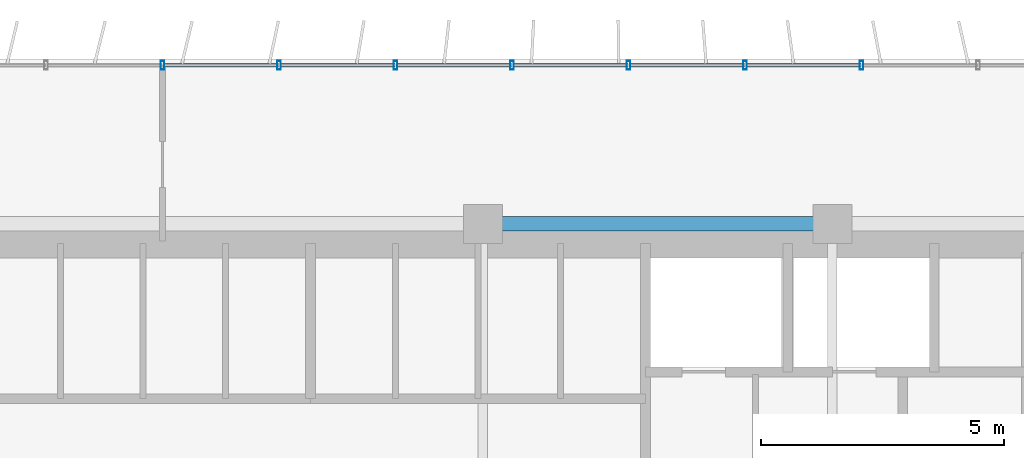
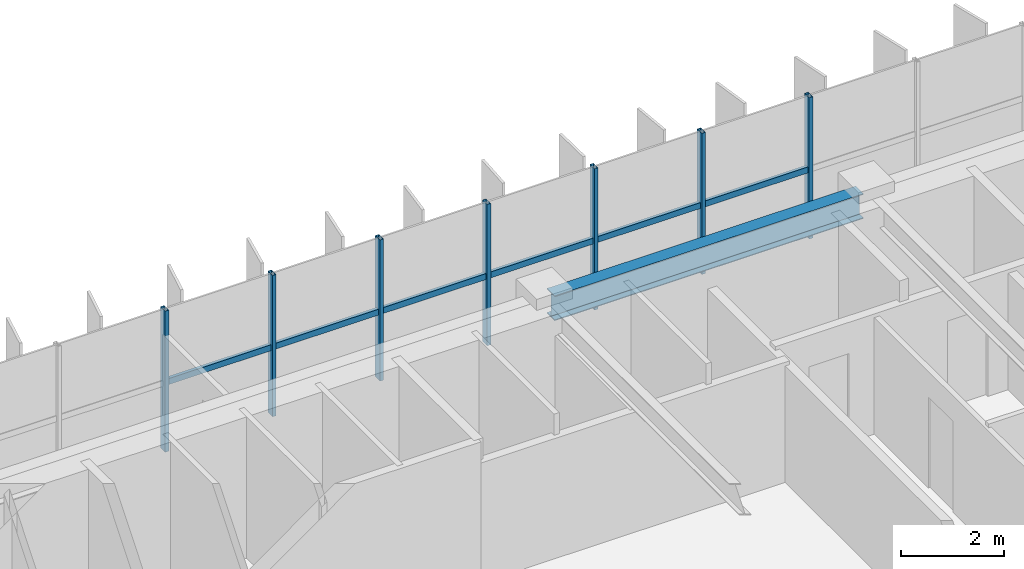
# One storey, part 9 of 21: 13 members, 1 beam, 1 element without a shape of its own.
"""IFC4 building model written with IfcOpenShell, lengths in metres."""

from ifc_helpers import new_model, si_unit, direction, frame, origin, origin_2d, place, context, subcontext, project, spatial, hollow_rectangle, i_section, extrude, source, transform, mapped, material, material_profile, profile_set, type_object, element, aggregate, save


model = new_model("IFC4")

# Units and contexts
model_context = context("Model", 3, precision=1e-05, world=origin(), true_north=direction((0.0, 1.0)))
body_context = subcontext(model_context, "Body", "Model", "MODEL_VIEW")
ifc_project = project(units=[si_unit("LENGTHUNIT", "METRE"), si_unit("AREAUNIT", "SQUARE_METRE"), si_unit("VOLUMEUNIT", "CUBIC_METRE"), si_unit("PLANEANGLEUNIT", "RADIAN"), si_unit("MASSUNIT", "GRAM", prefix="KILO")], contexts=[model_context])

# Site, building, storey
site_placement = place(None, origin())
site = spatial("IfcSite", under=ifc_project, at=site_placement, CompositionType="ELEMENT")
building_placement = place(site_placement, origin())
building = spatial("IfcBuilding", under=site, at=building_placement, Name="Trelvane Seafront Commons", CompositionType="ELEMENT")
storey_placement = place(building_placement, frame((0.0, 0.0, 106.89990234375)))
storey = spatial("IfcBuildingStorey", under=building, at=storey_placement, Name="L27", CompositionType="ELEMENT", Elevation=106.89990234375)

# Beam
ifc_material_1 = material(Name="Steel SM355 (S355)", Category="steel")
ifc_material_profile_1 = material_profile(ifc_material_1, i_section(OverallWidth=0.300048828125, OverallDepth=0.587890625, WebThickness=0.011962890625, FlangeThickness=0.02001953125, at=origin_2d()), Name="H-588x300x12x20")
ifc_profile_set_1 = profile_set([ifc_material_profile_1], Name="Steel SM355 (S355)")
beam_type = type_object("IfcBeamType", Name="STR-BM-H588", PredefinedType="BEAM", material=ifc_profile_set_1)
shared_shape_1 = source(origin(), body_context, "Body", "SweptSolid", [
    extrude(i_section(OverallWidth=0.300048828125, OverallDepth=0.587890625, WebThickness=0.011962890625, FlangeThickness=0.02001953125, at=origin_2d()), origin(), (0.0, 0.0, 1.0), 6.900146484375),
])
beam_placement = place(storey_placement, frame((43.949951171875, 45.10009765625, 3.046142578125), z_axis=(1.0, 0.0, 0.0), x_axis=(0.0, 1.0, 0.0)))
element("IfcBeam", 1, at=beam_placement, inside=storey, type_object=beam_type, Name="L27 Primary Girder G-33", PredefinedType="BEAM", context=body_context, shape_type="MappedRepresentation", body=[
    mapped(shared_shape_1, transform((0.0, 0.0, 0.0), x_axis=(1.0, 0.0, 0.0), y_axis=(0.0, 1.0, 0.0), z_axis=(0.0, 0.0, 1.0), scale=1.0)),
])

# Curtain wall, members
ifc_material_2 = material(Name="Anodised pale-silver aluminium", Category="aluminium")
curtain_wall_type = type_object("IfcCurtainWallType", Name="ARCH-CW4-SKYLOBBY", PredefinedType="NOTDEFINED", material=ifc_material_2)
curtain_wall_placement = place(storey_placement, origin())
curtain_wall = element("IfcCurtainWall", 2, at=curtain_wall_placement, inside=storey, type_object=curtain_wall_type, Name="CW-L27-0052", PredefinedType="NOTDEFINED")
ifc_material_profile_2 = material_profile(ifc_material_2, hollow_rectangle(XDim=0.074951171875, YDim=0.139892578125, WallThickness=0.00390625, at=origin_2d()), Name="TRAN-75x140x4")
ifc_profile_set_2 = profile_set([ifc_material_profile_2], Name="Anodised pale-silver aluminium")
member_type_1 = type_object("IfcMemberType", Name="ARCH-CW-TRAN-140", PredefinedType="USERDEFINED", material=ifc_profile_set_2)
shared_shape_2 = source(origin(), body_context, "Body", "SweptSolid", [
    extrude(hollow_rectangle(XDim=0.074951171875, YDim=0.139892578125, WallThickness=0.00390625, at=origin_2d()), origin(), (0.0, 0.0, 1.0), 2.3759765625),
])
member_1_placement = place(storey_placement, frame((37.2119140625, 48.3701171875, 1.60302734375), z_axis=(1.0, 0.0, 0.0), x_axis=(0.0, 1.0, 0.0)))
member_1 = element("IfcMember", 3, at=member_1_placement, type_object=member_type_1, Name="CW-L27-0052-T09", ObjectType="TRANSOM", PredefinedType="USERDEFINED", context=body_context, shape_type="MappedRepresentation", body=[
    mapped(shared_shape_2, transform((0.0, 0.0, 0.0), x_axis=(1.0, 0.0, 0.0), y_axis=(0.0, 1.0, 0.0), z_axis=(0.0, 0.0, 1.0), scale=1.0)),
])
member_2_placement = place(storey_placement, frame((39.612060546875, 48.3701171875, 1.60302734375), z_axis=(1.0, 0.0, 0.0), x_axis=(0.0, 1.0, 0.0)))
member_2 = element("IfcMember", 4, at=member_2_placement, type_object=member_type_1, Name="CW-L27-0052-T10", ObjectType="TRANSOM", PredefinedType="USERDEFINED", context=body_context, shape_type="MappedRepresentation", body=[
    mapped(shared_shape_2, transform((0.0, 0.0, 0.0), x_axis=(1.0, 0.0, 0.0), y_axis=(0.0, 1.0, 0.0), z_axis=(0.0, 0.0, 1.0), scale=1.0)),
])
member_3_placement = place(storey_placement, frame((42.011962890625, 48.3701171875, 1.60302734375), z_axis=(1.0, 0.0, 0.0), x_axis=(0.0, 1.0, 0.0)))
member_3 = element("IfcMember", 5, at=member_3_placement, type_object=member_type_1, Name="CW-L27-0052-T11", ObjectType="TRANSOM", PredefinedType="USERDEFINED", context=body_context, shape_type="MappedRepresentation", body=[
    mapped(shared_shape_2, transform((0.0, 0.0, 0.0), x_axis=(1.0, 0.0, 0.0), y_axis=(0.0, 1.0, 0.0), z_axis=(0.0, 0.0, 1.0), scale=1.0)),
])
member_4_placement = place(storey_placement, frame((44.412109375, 48.3701171875, 1.60302734375), z_axis=(1.0, 0.0, 0.0), x_axis=(0.0, 1.0, 0.0)))
member_4 = element("IfcMember", 6, at=member_4_placement, type_object=member_type_1, Name="CW-L27-0052-T12", ObjectType="TRANSOM", PredefinedType="USERDEFINED", context=body_context, shape_type="MappedRepresentation", body=[
    mapped(shared_shape_2, transform((0.0, 0.0, 0.0), x_axis=(1.0, 0.0, 0.0), y_axis=(0.0, 1.0, 0.0), z_axis=(0.0, 0.0, 1.0), scale=1.0)),
])
member_5_placement = place(storey_placement, frame((46.81201171875, 48.3701171875, 1.60302734375), z_axis=(1.0, 0.0, 0.0), x_axis=(0.0, 1.0, 0.0)))
member_5 = element("IfcMember", 7, at=member_5_placement, type_object=member_type_1, Name="CW-L27-0052-T13", ObjectType="TRANSOM", PredefinedType="USERDEFINED", context=body_context, shape_type="MappedRepresentation", body=[
    mapped(shared_shape_2, transform((0.0, 0.0, 0.0), x_axis=(1.0, 0.0, 0.0), y_axis=(0.0, 1.0, 0.0), z_axis=(0.0, 0.0, 1.0), scale=1.0)),
])
member_6_placement = place(storey_placement, frame((49.2119140625, 48.3701171875, 1.60302734375), z_axis=(1.0, 0.0, 0.0), x_axis=(0.0, 1.0, 0.0)))
member_6 = element("IfcMember", 8, at=member_6_placement, type_object=member_type_1, Name="CW-L27-0052-T14", ObjectType="TRANSOM", PredefinedType="USERDEFINED", context=body_context, shape_type="MappedRepresentation", body=[
    mapped(shared_shape_2, transform((0.0, 0.0, 0.0), x_axis=(1.0, 0.0, 0.0), y_axis=(0.0, 1.0, 0.0), z_axis=(0.0, 0.0, 1.0), scale=1.0)),
])
ifc_material_profile_3 = material_profile(ifc_material_2, hollow_rectangle(XDim=0.080078125, YDim=0.179931640625, WallThickness=0.00439453125, at=origin_2d()), Name="MULL-80x180x4.5")
ifc_profile_set_3 = profile_set([ifc_material_profile_3], Name="Anodised pale-silver aluminium")
member_type_2 = type_object("IfcMemberType", Name="ARCH-CW-MULL-180", PredefinedType="MULLION", material=ifc_profile_set_3)
shared_shape_3 = source(origin(), body_context, "Body", "SweptSolid", [
    extrude(hollow_rectangle(XDim=0.080078125, YDim=0.179931640625, WallThickness=0.00439453125, at=origin_2d()), origin(), (0.0, 0.0, 1.0), 3.340087890625),
])
member_7_placement = place(storey_placement, frame((37.199951171875, 48.3701171875, 0.0), z_axis=(0.0, 0.0, 1.0), x_axis=(1.0, 0.0, 0.0)))
member_7 = element("IfcMember", 9, at=member_7_placement, type_object=member_type_2, Name="CW-L27-0052-M09", PredefinedType="MULLION", context=body_context, shape_type="MappedRepresentation", body=[
    mapped(shared_shape_3, transform((0.0, 0.0, 0.0), x_axis=(1.0, 0.0, 0.0), y_axis=(0.0, 1.0, 0.0), z_axis=(0.0, 0.0, 1.0), scale=1.0)),
])
member_8_placement = place(storey_placement, frame((39.60009765625, 48.3701171875, 0.0), z_axis=(0.0, 0.0, 1.0), x_axis=(1.0, 0.0, 0.0)))
member_8 = element("IfcMember", 10, at=member_8_placement, type_object=member_type_2, Name="CW-L27-0052-M10", PredefinedType="MULLION", context=body_context, shape_type="MappedRepresentation", body=[
    mapped(shared_shape_3, transform((0.0, 0.0, 0.0), x_axis=(1.0, 0.0, 0.0), y_axis=(0.0, 1.0, 0.0), z_axis=(0.0, 0.0, 1.0), scale=1.0)),
])
member_9_placement = place(storey_placement, frame((42.0, 48.3701171875, 0.0), z_axis=(0.0, 0.0, 1.0), x_axis=(1.0, 0.0, 0.0)))
member_9 = element("IfcMember", 11, at=member_9_placement, type_object=member_type_2, Name="CW-L27-0052-M11", PredefinedType="MULLION", context=body_context, shape_type="MappedRepresentation", body=[
    mapped(shared_shape_3, transform((0.0, 0.0, 0.0), x_axis=(1.0, 0.0, 0.0), y_axis=(0.0, 1.0, 0.0), z_axis=(0.0, 0.0, 1.0), scale=1.0)),
])
member_10_placement = place(storey_placement, frame((44.39990234375, 48.3701171875, 0.0), z_axis=(0.0, 0.0, 1.0), x_axis=(1.0, 0.0, 0.0)))
member_10 = element("IfcMember", 12, at=member_10_placement, type_object=member_type_2, Name="CW-L27-0052-M12", PredefinedType="MULLION", context=body_context, shape_type="MappedRepresentation", body=[
    mapped(shared_shape_3, transform((0.0, 0.0, 0.0), x_axis=(1.0, 0.0, 0.0), y_axis=(0.0, 1.0, 0.0), z_axis=(0.0, 0.0, 1.0), scale=1.0)),
])
member_11_placement = place(storey_placement, frame((46.800048828125, 48.3701171875, 0.0), z_axis=(0.0, 0.0, 1.0), x_axis=(1.0, 0.0, 0.0)))
member_11 = element("IfcMember", 13, at=member_11_placement, type_object=member_type_2, Name="CW-L27-0052-M13", PredefinedType="MULLION", context=body_context, shape_type="MappedRepresentation", body=[
    mapped(shared_shape_3, transform((0.0, 0.0, 0.0), x_axis=(1.0, 0.0, 0.0), y_axis=(0.0, 1.0, 0.0), z_axis=(0.0, 0.0, 1.0), scale=1.0)),
])
member_12_placement = place(storey_placement, frame((49.199951171875, 48.3701171875, 0.0), z_axis=(0.0, 0.0, 1.0), x_axis=(1.0, 0.0, 0.0)))
member_12 = element("IfcMember", 14, at=member_12_placement, type_object=member_type_2, Name="CW-L27-0052-M14", PredefinedType="MULLION", context=body_context, shape_type="MappedRepresentation", body=[
    mapped(shared_shape_3, transform((0.0, 0.0, 0.0), x_axis=(1.0, 0.0, 0.0), y_axis=(0.0, 1.0, 0.0), z_axis=(0.0, 0.0, 1.0), scale=1.0)),
])
member_13_placement = place(storey_placement, frame((51.60009765625, 48.3701171875, 0.0), z_axis=(0.0, 0.0, 1.0), x_axis=(1.0, 0.0, 0.0)))
member_13 = element("IfcMember", 15, at=member_13_placement, type_object=member_type_2, Name="CW-L27-0052-M15", PredefinedType="MULLION", context=body_context, shape_type="MappedRepresentation", body=[
    mapped(shared_shape_3, transform((0.0, 0.0, 0.0), x_axis=(1.0, 0.0, 0.0), y_axis=(0.0, 1.0, 0.0), z_axis=(0.0, 0.0, 1.0), scale=1.0)),
])
aggregate(curtain_wall, [member_7, member_8, member_9, member_10, member_11, member_12, member_13, member_1, member_2, member_3, member_4, member_5, member_6])

save(model, "model.ifc")
